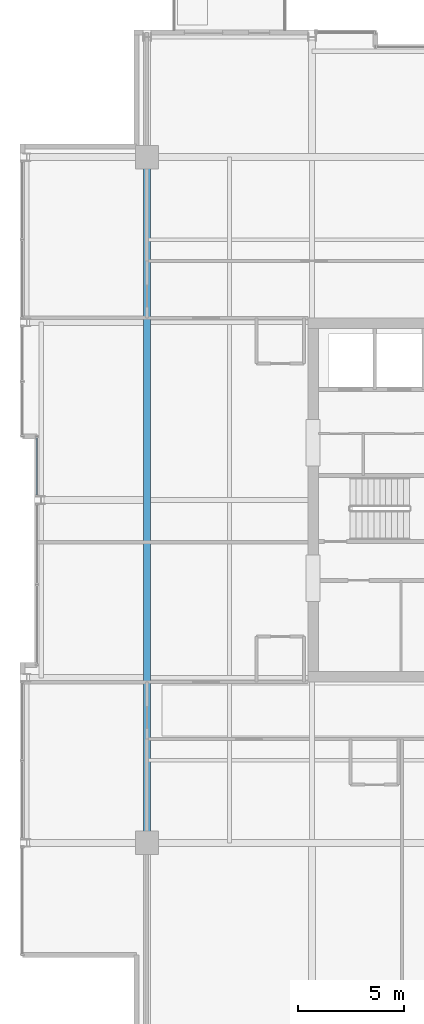
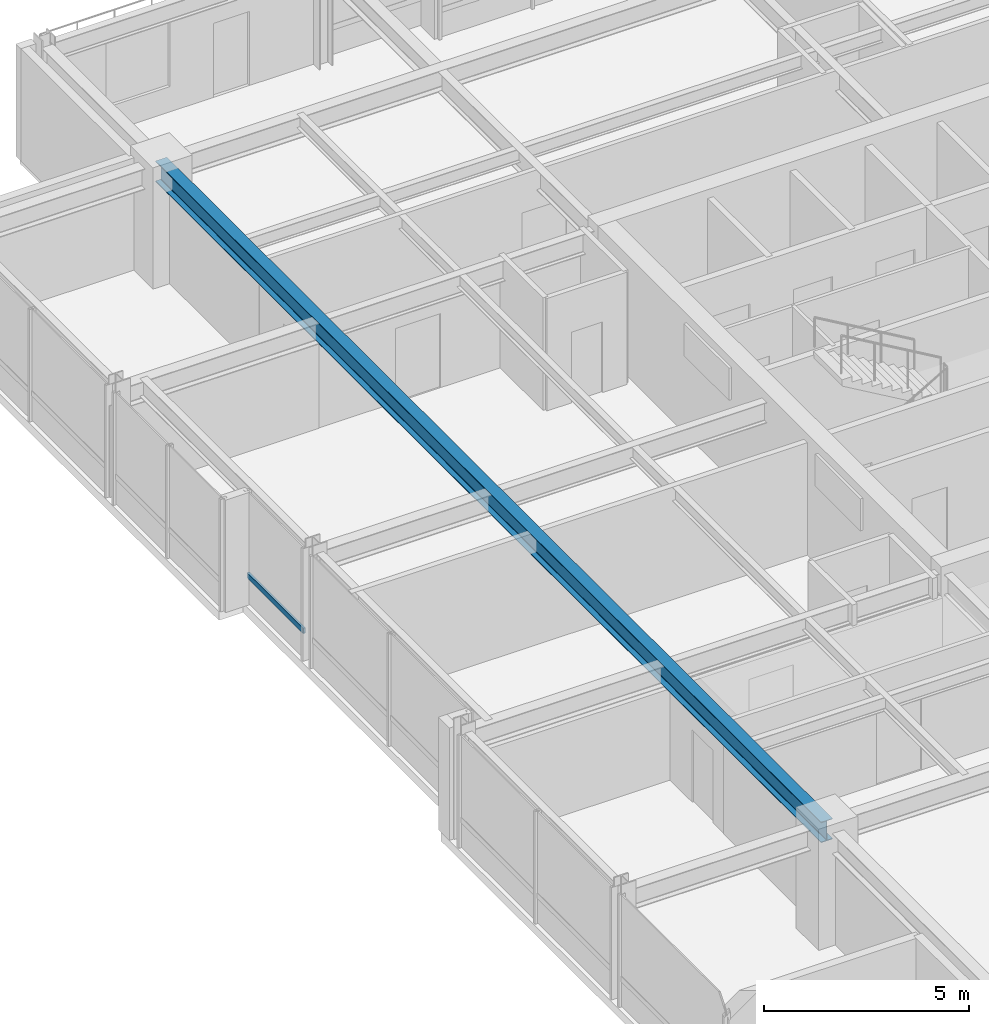
# One storey, part 9 of 30: 1 beam, 1 member, 1 element without a shape of its own.
"""IFC4 building model written with IfcOpenShell, lengths in metres."""

from ifc_helpers import new_model, si_unit, direction, frame, origin, origin_2d, place, context, subcontext, project, spatial, hollow_rectangle, i_section, extrude, material, layer, layer_set, material_profile, profile_set, type_object, element, aggregate, save


model = new_model("IFC4")

# Units and contexts
model_context = context("Model", 3, precision=1e-05, world=origin(), true_north=direction((0.0, 1.0)))
body_context = subcontext(model_context, "Body", "Model", "MODEL_VIEW")
ifc_project = project(units=[si_unit("LENGTHUNIT", "METRE"), si_unit("AREAUNIT", "SQUARE_METRE"), si_unit("VOLUMEUNIT", "CUBIC_METRE"), si_unit("PLANEANGLEUNIT", "RADIAN"), si_unit("MASSUNIT", "GRAM", prefix="KILO")], contexts=[model_context])

# Site, building, storey
site_placement = place(None, origin())
site = spatial("IfcSite", under=ifc_project, at=site_placement, CompositionType="ELEMENT")
building_placement = place(site_placement, origin())
building = spatial("IfcBuilding", under=site, at=building_placement, Name="Drelvath Grand Hotel", CompositionType="ELEMENT")
storey_placement = place(building_placement, frame((0.0, 0.0, 215.89990234375)))
storey = spatial("IfcBuildingStorey", under=building, at=storey_placement, Name="L56", CompositionType="ELEMENT", Elevation=215.89990234375)

# Curtain wall, member
ifc_material_1 = material(Name="Platinum-Mist Anodised Aluminium Frame", Category="aluminium")
ifc_layer = layer(ifc_material_1, 0.199951171875)
ifc_layer_set = layer_set([ifc_layer], Name="Platinum-Mist Anodised Aluminium Frame")
curtain_wall_type = type_object("IfcCurtainWallType", Name="Stick Curtain Wall CW-05 Platinum Mist High-Rise", PredefinedType="NOTDEFINED", material=ifc_layer_set)
curtain_wall_placement = place(storey_placement, origin())
curtain_wall = element("IfcCurtainWall", 1, at=curtain_wall_placement, inside=storey, type_object=curtain_wall_type, Name="L56 CW-05 Curtain Wall CW05-L56-WM2", PredefinedType="NOTDEFINED")
ifc_material_profile_1 = material_profile(ifc_material_1, hollow_rectangle(XDim=0.06494140625, YDim=0.159912109375, WallThickness=0.00390625, at=origin_2d()), Name="HSS160X65X4")
ifc_profile_set_1 = profile_set([ifc_material_profile_1], Name="Platinum-Mist Anodised Aluminium Frame")
member_type = type_object("IfcMemberType", Name="Curtain Wall Horizontal Transom CW-05 HSS160X65X4", PredefinedType="USERDEFINED", material=ifc_profile_set_1)
member_placement = place(storey_placement, frame((-21.39990234375, 27.225341796875, 0.835205078125), z_axis=(0.0, 1.0, 0.0), x_axis=(-1.0, 0.0, 0.0)))
member = element("IfcMember", 2, at=member_placement, type_object=member_type, Name="CW05-L56-WM2 Sill Transom", ObjectType="TRANSOM", PredefinedType="USERDEFINED", context=body_context, shape_type="SweptSolid", body=[
    extrude(hollow_rectangle(XDim=0.06494140625, YDim=0.159912109375, WallThickness=0.00390625, at=origin_2d()), origin(), (0.0, 0.0, 1.0), 2.734619140625),
])
aggregate(curtain_wall, [member])

# Beam
ifc_material_2 = material(Name="Steel ASTM A992 Gr 50", Category="steel")
ifc_material_profile_2 = material_profile(ifc_material_2, i_section(OverallWidth=0.323974609375, OverallDepth=0.611083984375, WebThickness=0.0126953125, FlangeThickness=0.01904296875, FilletRadius=0.02197265625, at=origin_2d()), Name="W24X104")
ifc_profile_set_2 = profile_set([ifc_material_profile_2], Name="Steel ASTM A992 Gr 50")
beam_type = type_object("IfcBeamType", Name="Primary Floor Girder W24X104", PredefinedType="BEAM", material=ifc_profile_set_2)
beam_placement = place(storey_placement, frame((-16.199951171875, 10.800048828125, 3.034423828125), z_axis=(0.0, 1.0, 0.0), x_axis=(-1.0, 0.0, 0.0)))
element("IfcBeam", 3, at=beam_placement, inside=storey, type_object=beam_type, Name="L56 Mega Ring Girder West", PredefinedType="BEAM", context=body_context, shape_type="SweptSolid", body=[
    extrude(i_section(OverallWidth=0.323974609375, OverallDepth=0.611083984375, WebThickness=0.0126953125, FlangeThickness=0.01904296875, FilletRadius=0.02197265625, at=origin_2d()), origin(), (0.0, 0.0, 1.0), 32.39990234375),
])

save(model, "model.ifc")
